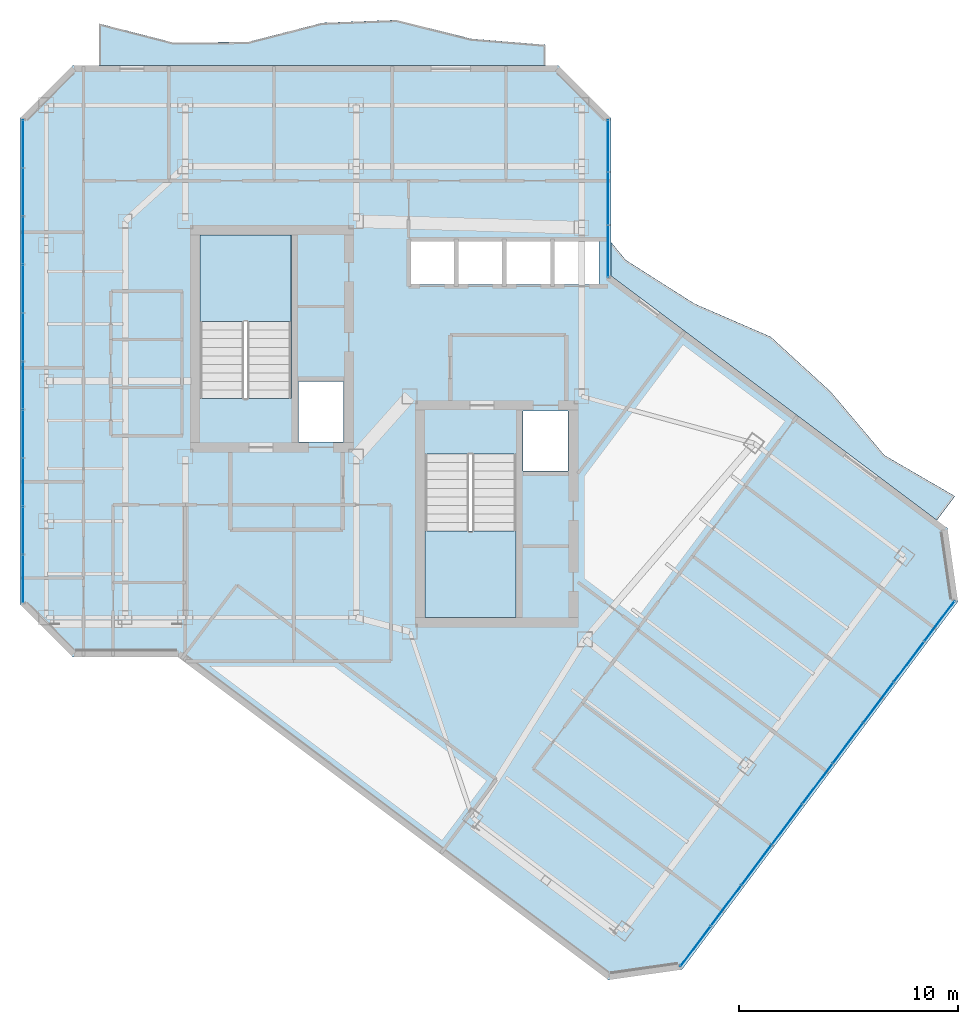
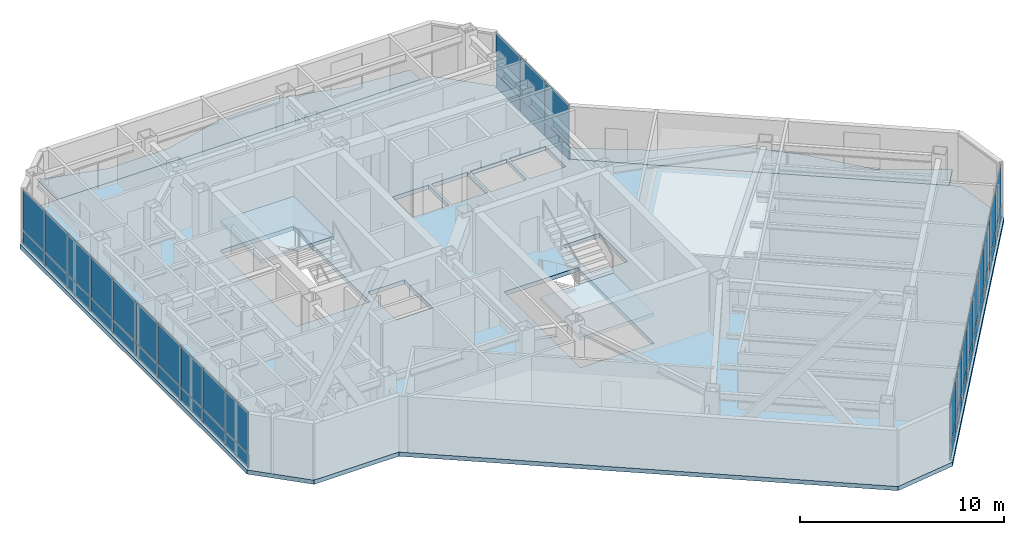
# One storey, part 18 of 25: 44 plates, 5 slabs, 5 elements without a shape of their own.
"""IFC4 building model written with IfcOpenShell, lengths in metres."""

from ifc_helpers import new_model, si_unit, direction, frame, origin, origin_2d, place, context, subcontext, project, spatial, polyline, rectangle, outline, extrude, material, layer, layer_set, type_object, element, aggregate, save


model = new_model("IFC4")

# Units and contexts
model_context = context("Model", 3, precision=1e-05, world=origin(), true_north=direction((0.0, 1.0)))
body_context = subcontext(model_context, "Body", "Model", "MODEL_VIEW")
ifc_project = project(units=[si_unit("LENGTHUNIT", "METRE"), si_unit("AREAUNIT", "SQUARE_METRE"), si_unit("VOLUMEUNIT", "CUBIC_METRE"), si_unit("PLANEANGLEUNIT", "RADIAN"), si_unit("MASSUNIT", "GRAM", prefix="KILO")], contexts=[model_context])

# Site, building, storey
site_placement = place(None, origin())
site = spatial("IfcSite", under=ifc_project, at=site_placement, CompositionType="ELEMENT")
building_placement = place(site_placement, origin())
building = spatial("IfcBuilding", under=site, at=building_placement, Name="Hatsunagi Terrace Concourse", CompositionType="ELEMENT")
storey_placement = place(building_placement, frame((0.0, 0.0, 223.949951171875)))
storey = spatial("IfcBuildingStorey", under=building, at=storey_placement, Name="L59", CompositionType="ELEMENT", Elevation=223.949951171875)

# Curtain wall, plates
ifc_material_1 = material(Name="Anodised Aluminium Alloy 6063-T5", Category="aluminium")
ifc_layer_1 = layer(ifc_material_1, 0.199951171875)
ifc_layer_set_1 = layer_set([ifc_layer_1], Name="OfficeZone2_CW04")
curtain_wall_type = type_object("IfcCurtainWallType", Name="OfficeZone2_CW04", PredefinedType="NOTDEFINED", material=ifc_layer_set_1)
curtain_wall_1_placement = place(storey_placement, origin())
curtain_wall_1 = element("IfcCurtainWall", 1, at=curtain_wall_1_placement, inside=storey, type_object=curtain_wall_type, Name="Unitised Curtain Wall CW-04 CW-L59-03", PredefinedType="NOTDEFINED")
ifc_material_2 = material(Name="Warm Terracotta Ceramic Spandrel Panel", Category="masonry")
ifc_layer_2 = layer(ifc_material_2, 0.031982421875)
ifc_layer_set_2 = layer_set([ifc_layer_2], Name="CurtainWallSpandrelPanel_32")
plate_type_1 = type_object("IfcPlateType", Name="CurtainWallSpandrelPanel_32", PredefinedType="SHEET", material=ifc_layer_set_2)
plate_1_placement = place(storey_placement, frame((59.9970703125, 25.030029296875, 0.030029296875), z_axis=(0.0, 0.0, 1.0), x_axis=(-0.599969314634, -0.800023013105, 0.0)))
plate_1 = element("IfcPlate", 2, at=plate_1_placement, type_object=plate_type_1, Name="Terracotta Spandrel Panel SPN-01", PredefinedType="SHEET", context=body_context, shape_type="SweptSolid", body=[
    extrude(rectangle(XDim=2.264892578125, YDim=0.031982421875, at=origin_2d()), origin(), (0.0, 0.0, 1.0), 0.7900390625),
])
plate_2_placement = place(storey_placement, frame((58.60498046875, 23.173095703125, 0.030029296875), z_axis=(0.0, 0.0, 1.0), x_axis=(-0.599969314634, -0.800023013105, 0.0)))
plate_2 = element("IfcPlate", 3, at=plate_2_placement, type_object=plate_type_1, Name="Terracotta Spandrel Panel SPN-01", PredefinedType="SHEET", context=body_context, shape_type="SweptSolid", body=[
    extrude(rectangle(XDim=2.264892578125, YDim=0.031982421875, at=origin_2d()), origin(), (0.0, 0.0, 1.0), 0.7900390625),
])
plate_3_placement = place(storey_placement, frame((57.2119140625, 21.31689453125, 0.030029296875), z_axis=(0.0, 0.0, 1.0), x_axis=(-0.599969314634, -0.800023013105, 0.0)))
plate_3 = element("IfcPlate", 4, at=plate_3_placement, type_object=plate_type_1, Name="Terracotta Spandrel Panel SPN-01", PredefinedType="SHEET", context=body_context, shape_type="SweptSolid", body=[
    extrude(rectangle(XDim=2.264892578125, YDim=0.031982421875, at=origin_2d()), origin(), (0.0, 0.0, 1.0), 0.7900390625),
])
plate_4_placement = place(storey_placement, frame((55.820068359375, 19.4599609375, 0.030029296875), z_axis=(0.0, 0.0, 1.0), x_axis=(-0.599969314634, -0.800023013105, 0.0)))
plate_4 = element("IfcPlate", 5, at=plate_4_placement, type_object=plate_type_1, Name="Terracotta Spandrel Panel SPN-01", PredefinedType="SHEET", context=body_context, shape_type="SweptSolid", body=[
    extrude(rectangle(XDim=2.264892578125, YDim=0.031982421875, at=origin_2d()), origin(), (0.0, 0.0, 1.0), 0.7900390625),
])
plate_5_placement = place(storey_placement, frame((54.427978515625, 17.60400390625, 0.030029296875), z_axis=(0.0, 0.0, 1.0), x_axis=(-0.599969314634, -0.800023013105, 0.0)))
plate_5 = element("IfcPlate", 6, at=plate_5_placement, type_object=plate_type_1, Name="Terracotta Spandrel Panel SPN-01", PredefinedType="SHEET", context=body_context, shape_type="SweptSolid", body=[
    extrude(rectangle(XDim=2.264892578125, YDim=0.031982421875, at=origin_2d()), origin(), (0.0, 0.0, 1.0), 0.7900390625),
])
plate_6_placement = place(storey_placement, frame((53.035888671875, 15.748046875, 0.030029296875), z_axis=(0.0, 0.0, 1.0), x_axis=(-0.599969314634, -0.800023013105, 0.0)))
plate_6 = element("IfcPlate", 7, at=plate_6_placement, type_object=plate_type_1, Name="Terracotta Spandrel Panel SPN-01", PredefinedType="SHEET", context=body_context, shape_type="SweptSolid", body=[
    extrude(rectangle(XDim=2.264892578125, YDim=0.031982421875, at=origin_2d()), origin(), (0.0, 0.0, 1.0), 0.7900390625),
])
plate_7_placement = place(storey_placement, frame((51.64404296875, 13.89111328125, 0.030029296875), z_axis=(0.0, 0.0, 1.0), x_axis=(-0.599969314634, -0.800023013105, 0.0)))
plate_7 = element("IfcPlate", 8, at=plate_7_placement, type_object=plate_type_1, Name="Terracotta Spandrel Panel SPN-01", PredefinedType="SHEET", context=body_context, shape_type="SweptSolid", body=[
    extrude(rectangle(XDim=2.264892578125, YDim=0.031982421875, at=origin_2d()), origin(), (0.0, 0.0, 1.0), 0.7900390625),
])
plate_8_placement = place(storey_placement, frame((50.2509765625, 12.034912109375, 0.030029296875), z_axis=(0.0, 0.0, 1.0), x_axis=(-0.599969314634, -0.800023013105, 0.0)))
plate_8 = element("IfcPlate", 9, at=plate_8_placement, type_object=plate_type_1, Name="Terracotta Spandrel Panel SPN-01", PredefinedType="SHEET", context=body_context, shape_type="SweptSolid", body=[
    extrude(rectangle(XDim=2.264892578125, YDim=0.031982421875, at=origin_2d()), origin(), (0.0, 0.0, 1.0), 0.7900390625),
])
plate_9_placement = place(storey_placement, frame((48.85888671875, 10.177978515625, 0.030029296875), z_axis=(0.0, 0.0, 1.0), x_axis=(-0.599969314634, -0.800023013105, 0.0)))
plate_9 = element("IfcPlate", 10, at=plate_9_placement, type_object=plate_type_1, Name="Terracotta Spandrel Panel SPN-01", PredefinedType="SHEET", context=body_context, shape_type="SweptSolid", body=[
    extrude(rectangle(XDim=2.264892578125, YDim=0.031982421875, at=origin_2d()), origin(), (0.0, 0.0, 1.0), 0.7900390625),
])

curtain_wall_2_placement = place(storey_placement, origin())
curtain_wall_2 = element("IfcCurtainWall", 11, at=curtain_wall_2_placement, inside=storey, type_object=curtain_wall_type, Name="Unitised Curtain Wall CW-04 CW-L59-08", PredefinedType="NOTDEFINED")
plate_10_placement = place(storey_placement, frame((18.139892578125, 26.9619140625, 0.030029296875), z_axis=(0.0, 0.0, 1.0), x_axis=(0.0, 1.0, 0.0)))
plate_10 = element("IfcPlate", 12, at=plate_10_placement, type_object=plate_type_1, Name="Terracotta Spandrel Panel SPN-01", PredefinedType="SHEET", context=body_context, shape_type="SweptSolid", body=[
    extrude(rectangle(XDim=2.153076171875, YDim=0.031982421875, at=origin_2d()), origin(), (0.0, 0.0, 1.0), 0.7900390625),
])
plate_11_placement = place(storey_placement, frame((18.139892578125, 29.1708984375, 0.030029296875), z_axis=(0.0, 0.0, 1.0), x_axis=(0.0, 1.0, 0.0)))
plate_11 = element("IfcPlate", 13, at=plate_11_placement, type_object=plate_type_1, Name="Terracotta Spandrel Panel SPN-01", PredefinedType="SHEET", context=body_context, shape_type="SweptSolid", body=[
    extrude(rectangle(XDim=2.153076171875, YDim=0.031982421875, at=origin_2d()), origin(), (0.0, 0.0, 1.0), 0.7900390625),
])
plate_12_placement = place(storey_placement, frame((18.139892578125, 31.37890625, 0.030029296875), z_axis=(0.0, 0.0, 1.0), x_axis=(0.0, 1.0, 0.0)))
plate_12 = element("IfcPlate", 14, at=plate_12_placement, type_object=plate_type_1, Name="Terracotta Spandrel Panel SPN-01", PredefinedType="SHEET", context=body_context, shape_type="SweptSolid", body=[
    extrude(rectangle(XDim=2.153076171875, YDim=0.031982421875, at=origin_2d()), origin(), (0.0, 0.0, 1.0), 0.7900390625),
])
plate_13_placement = place(storey_placement, frame((18.139892578125, 33.5869140625, 0.030029296875), z_axis=(0.0, 0.0, 1.0), x_axis=(0.0, 1.0, 0.0)))
plate_13 = element("IfcPlate", 15, at=plate_13_placement, type_object=plate_type_1, Name="Terracotta Spandrel Panel SPN-01", PredefinedType="SHEET", context=body_context, shape_type="SweptSolid", body=[
    extrude(rectangle(XDim=2.153076171875, YDim=0.031982421875, at=origin_2d()), origin(), (0.0, 0.0, 1.0), 0.7900390625),
])
plate_14_placement = place(storey_placement, frame((18.139892578125, 35.7958984375, 0.030029296875), z_axis=(0.0, 0.0, 1.0), x_axis=(0.0, 1.0, 0.0)))
plate_14 = element("IfcPlate", 16, at=plate_14_placement, type_object=plate_type_1, Name="Terracotta Spandrel Panel SPN-01", PredefinedType="SHEET", context=body_context, shape_type="SweptSolid", body=[
    extrude(rectangle(XDim=2.153076171875, YDim=0.031982421875, at=origin_2d()), origin(), (0.0, 0.0, 1.0), 0.7900390625),
])
plate_15_placement = place(storey_placement, frame((18.139892578125, 38.00390625, 0.030029296875), z_axis=(0.0, 0.0, 1.0), x_axis=(0.0, 1.0, 0.0)))
plate_15 = element("IfcPlate", 17, at=plate_15_placement, type_object=plate_type_1, Name="Terracotta Spandrel Panel SPN-01", PredefinedType="SHEET", context=body_context, shape_type="SweptSolid", body=[
    extrude(rectangle(XDim=2.153076171875, YDim=0.031982421875, at=origin_2d()), origin(), (0.0, 0.0, 1.0), 0.7900390625),
])
plate_16_placement = place(storey_placement, frame((18.139892578125, 40.212890625, 0.030029296875), z_axis=(0.0, 0.0, 1.0), x_axis=(0.0, 1.0, 0.0)))
plate_16 = element("IfcPlate", 18, at=plate_16_placement, type_object=plate_type_1, Name="Terracotta Spandrel Panel SPN-01", PredefinedType="SHEET", context=body_context, shape_type="SweptSolid", body=[
    extrude(rectangle(XDim=2.153076171875, YDim=0.031982421875, at=origin_2d()), origin(), (0.0, 0.0, 1.0), 0.7900390625),
])
plate_17_placement = place(storey_placement, frame((18.139892578125, 42.4208984375, 0.030029296875), z_axis=(0.0, 0.0, 1.0), x_axis=(0.0, 1.0, 0.0)))
plate_17 = element("IfcPlate", 19, at=plate_17_placement, type_object=plate_type_1, Name="Terracotta Spandrel Panel SPN-01", PredefinedType="SHEET", context=body_context, shape_type="SweptSolid", body=[
    extrude(rectangle(XDim=2.153076171875, YDim=0.031982421875, at=origin_2d()), origin(), (0.0, 0.0, 1.0), 0.7900390625),
])
plate_18_placement = place(storey_placement, frame((18.139892578125, 44.62890625, 0.030029296875), z_axis=(0.0, 0.0, 1.0), x_axis=(0.0, 1.0, 0.0)))
plate_18 = element("IfcPlate", 20, at=plate_18_placement, type_object=plate_type_1, Name="Terracotta Spandrel Panel SPN-01", PredefinedType="SHEET", context=body_context, shape_type="SweptSolid", body=[
    extrude(rectangle(XDim=2.153076171875, YDim=0.031982421875, at=origin_2d()), origin(), (0.0, 0.0, 1.0), 0.7900390625),
])
plate_19_placement = place(storey_placement, frame((18.139892578125, 46.837890625, 0.030029296875), z_axis=(0.0, 0.0, 1.0), x_axis=(0.0, 1.0, 0.0)))
plate_19 = element("IfcPlate", 21, at=plate_19_placement, type_object=plate_type_1, Name="Terracotta Spandrel Panel SPN-01", PredefinedType="SHEET", context=body_context, shape_type="SweptSolid", body=[
    extrude(rectangle(XDim=2.153076171875, YDim=0.031982421875, at=origin_2d()), origin(), (0.0, 0.0, 1.0), 0.7900390625),
])

curtain_wall_3_placement = place(storey_placement, origin())
curtain_wall_3 = element("IfcCurtainWall", 22, at=curtain_wall_3_placement, inside=storey, type_object=curtain_wall_type, Name="Unitised Curtain Wall CW-04 CW-L59-12", PredefinedType="NOTDEFINED")
plate_20_placement = place(storey_placement, frame((44.860107421875, 46.739990234375, 0.030029296875), z_axis=(0.0, 0.0, 1.0), x_axis=(0.0, -1.0, 0.0)))
plate_20 = element("IfcPlate", 23, at=plate_20_placement, type_object=plate_type_1, Name="Terracotta Spandrel Panel SPN-01", PredefinedType="SHEET", context=body_context, shape_type="SweptSolid", body=[
    extrude(rectangle(XDim=2.34912109375, YDim=0.031982421875, at=origin_2d()), origin(), (0.0, 0.0, 1.0), 0.7900390625),
])
plate_21_placement = place(storey_placement, frame((44.860107421875, 44.3359375, 0.030029296875), z_axis=(0.0, 0.0, 1.0), x_axis=(0.0, -1.0, 0.0)))
plate_21 = element("IfcPlate", 24, at=plate_21_placement, type_object=plate_type_1, Name="Terracotta Spandrel Panel SPN-01", PredefinedType="SHEET", context=body_context, shape_type="SweptSolid", body=[
    extrude(rectangle(XDim=2.34912109375, YDim=0.031982421875, at=origin_2d()), origin(), (0.0, 0.0, 1.0), 0.7900390625),
])
plate_22_placement = place(storey_placement, frame((44.860107421875, 41.931884765625, 0.030029296875), z_axis=(0.0, 0.0, 1.0), x_axis=(0.0, -1.0, 0.0)))
plate_22 = element("IfcPlate", 25, at=plate_22_placement, type_object=plate_type_1, Name="Terracotta Spandrel Panel SPN-01", PredefinedType="SHEET", context=body_context, shape_type="SweptSolid", body=[
    extrude(rectangle(XDim=2.34912109375, YDim=0.031982421875, at=origin_2d()), origin(), (0.0, 0.0, 1.0), 0.7900390625),
])

# Plate
ifc_material_3 = material(Name="Low-E Double Insulating Glass 28mm", Category="glass")
ifc_layer_3 = layer(ifc_material_3, 0.028076171875)
ifc_layer_set_3 = layer_set([ifc_layer_3], Name="CurtainWallVisionGlass_28")
plate_type_2 = type_object("IfcPlateType", Name="CurtainWallVisionGlass_28", PredefinedType="CURTAIN_PANEL", material=ifc_layer_set_3)
plate_23_placement = place(storey_placement, frame((59.9970703125, 25.030029296875, 0.880126953125), z_axis=(0.0, 0.0, 1.0), x_axis=(-0.599969314634, -0.800023013105, 0.0)))
plate_23 = element("IfcPlate", 26, at=plate_23_placement, type_object=plate_type_2, Name="Low-E Vision Glass Panel GLZ-01", PredefinedType="CURTAIN_PANEL", context=body_context, shape_type="SweptSolid", body=[
    extrude(rectangle(XDim=2.264892578125, YDim=0.028076171875, at=origin_2d()), origin(), (0.0, 0.0, 1.0), 2.43994140625),
])

plate_24_placement = place(storey_placement, frame((58.60498046875, 23.173095703125, 0.880126953125), z_axis=(0.0, 0.0, 1.0), x_axis=(-0.599969314634, -0.800023013105, 0.0)))
plate_24 = element("IfcPlate", 27, at=plate_24_placement, type_object=plate_type_2, Name="Low-E Vision Glass Panel GLZ-01", PredefinedType="CURTAIN_PANEL", context=body_context, shape_type="SweptSolid", body=[
    extrude(rectangle(XDim=2.264892578125, YDim=0.028076171875, at=origin_2d()), origin(), (0.0, 0.0, 1.0), 2.43994140625),
])

plate_25_placement = place(storey_placement, frame((57.2119140625, 21.31689453125, 0.880126953125), z_axis=(0.0, 0.0, 1.0), x_axis=(-0.599969314634, -0.800023013105, 0.0)))
plate_25 = element("IfcPlate", 28, at=plate_25_placement, type_object=plate_type_2, Name="Low-E Vision Glass Panel GLZ-01", PredefinedType="CURTAIN_PANEL", context=body_context, shape_type="SweptSolid", body=[
    extrude(rectangle(XDim=2.264892578125, YDim=0.028076171875, at=origin_2d()), origin(), (0.0, 0.0, 1.0), 2.43994140625),
])

plate_26_placement = place(storey_placement, frame((55.820068359375, 19.4599609375, 0.880126953125), z_axis=(0.0, 0.0, 1.0), x_axis=(-0.599969314634, -0.800023013105, 0.0)))
plate_26 = element("IfcPlate", 29, at=plate_26_placement, type_object=plate_type_2, Name="Low-E Vision Glass Panel GLZ-01", PredefinedType="CURTAIN_PANEL", context=body_context, shape_type="SweptSolid", body=[
    extrude(rectangle(XDim=2.264892578125, YDim=0.028076171875, at=origin_2d()), origin(), (0.0, 0.0, 1.0), 2.43994140625),
])

plate_27_placement = place(storey_placement, frame((54.427978515625, 17.60400390625, 0.880126953125), z_axis=(0.0, 0.0, 1.0), x_axis=(-0.599969314634, -0.800023013105, 0.0)))
plate_27 = element("IfcPlate", 30, at=plate_27_placement, type_object=plate_type_2, Name="Low-E Vision Glass Panel GLZ-01", PredefinedType="CURTAIN_PANEL", context=body_context, shape_type="SweptSolid", body=[
    extrude(rectangle(XDim=2.264892578125, YDim=0.028076171875, at=origin_2d()), origin(), (0.0, 0.0, 1.0), 2.43994140625),
])

plate_28_placement = place(storey_placement, frame((53.035888671875, 15.748046875, 0.880126953125), z_axis=(0.0, 0.0, 1.0), x_axis=(-0.599969314634, -0.800023013105, 0.0)))
plate_28 = element("IfcPlate", 31, at=plate_28_placement, type_object=plate_type_2, Name="Low-E Vision Glass Panel GLZ-01", PredefinedType="CURTAIN_PANEL", context=body_context, shape_type="SweptSolid", body=[
    extrude(rectangle(XDim=2.264892578125, YDim=0.028076171875, at=origin_2d()), origin(), (0.0, 0.0, 1.0), 2.43994140625),
])

plate_29_placement = place(storey_placement, frame((51.64404296875, 13.89111328125, 0.880126953125), z_axis=(0.0, 0.0, 1.0), x_axis=(-0.599969314634, -0.800023013105, 0.0)))
plate_29 = element("IfcPlate", 32, at=plate_29_placement, type_object=plate_type_2, Name="Low-E Vision Glass Panel GLZ-01", PredefinedType="CURTAIN_PANEL", context=body_context, shape_type="SweptSolid", body=[
    extrude(rectangle(XDim=2.264892578125, YDim=0.028076171875, at=origin_2d()), origin(), (0.0, 0.0, 1.0), 2.43994140625),
])

plate_30_placement = place(storey_placement, frame((50.2509765625, 12.034912109375, 0.880126953125), z_axis=(0.0, 0.0, 1.0), x_axis=(-0.599969314634, -0.800023013105, 0.0)))
plate_30 = element("IfcPlate", 33, at=plate_30_placement, type_object=plate_type_2, Name="Low-E Vision Glass Panel GLZ-01", PredefinedType="CURTAIN_PANEL", context=body_context, shape_type="SweptSolid", body=[
    extrude(rectangle(XDim=2.264892578125, YDim=0.028076171875, at=origin_2d()), origin(), (0.0, 0.0, 1.0), 2.43994140625),
])

plate_31_placement = place(storey_placement, frame((48.85888671875, 10.177978515625, 0.880126953125), z_axis=(0.0, 0.0, 1.0), x_axis=(-0.599969314634, -0.800023013105, 0.0)))
plate_31 = element("IfcPlate", 34, at=plate_31_placement, type_object=plate_type_2, Name="Low-E Vision Glass Panel GLZ-01", PredefinedType="CURTAIN_PANEL", context=body_context, shape_type="SweptSolid", body=[
    extrude(rectangle(XDim=2.264892578125, YDim=0.028076171875, at=origin_2d()), origin(), (0.0, 0.0, 1.0), 2.43994140625),
])

aggregate(curtain_wall_1, [plate_1, plate_23, plate_2, plate_24, plate_3, plate_25, plate_4, plate_26, plate_5, plate_27, plate_6, plate_28, plate_7, plate_29, plate_8, plate_30, plate_9, plate_31])

plate_32_placement = place(storey_placement, frame((18.139892578125, 26.9619140625, 0.880126953125), z_axis=(0.0, 0.0, 1.0), x_axis=(0.0, 1.0, 0.0)))
plate_32 = element("IfcPlate", 35, at=plate_32_placement, type_object=plate_type_2, Name="Low-E Vision Glass Panel GLZ-01", PredefinedType="CURTAIN_PANEL", context=body_context, shape_type="SweptSolid", body=[
    extrude(rectangle(XDim=2.153076171875, YDim=0.028076171875, at=origin_2d()), origin(), (0.0, 0.0, 1.0), 2.43994140625),
])

plate_33_placement = place(storey_placement, frame((18.139892578125, 29.1708984375, 0.880126953125), z_axis=(0.0, 0.0, 1.0), x_axis=(0.0, 1.0, 0.0)))
plate_33 = element("IfcPlate", 36, at=plate_33_placement, type_object=plate_type_2, Name="Low-E Vision Glass Panel GLZ-01", PredefinedType="CURTAIN_PANEL", context=body_context, shape_type="SweptSolid", body=[
    extrude(rectangle(XDim=2.153076171875, YDim=0.028076171875, at=origin_2d()), origin(), (0.0, 0.0, 1.0), 2.43994140625),
])

plate_34_placement = place(storey_placement, frame((18.139892578125, 31.37890625, 0.880126953125), z_axis=(0.0, 0.0, 1.0), x_axis=(0.0, 1.0, 0.0)))
plate_34 = element("IfcPlate", 37, at=plate_34_placement, type_object=plate_type_2, Name="Low-E Vision Glass Panel GLZ-01", PredefinedType="CURTAIN_PANEL", context=body_context, shape_type="SweptSolid", body=[
    extrude(rectangle(XDim=2.153076171875, YDim=0.028076171875, at=origin_2d()), origin(), (0.0, 0.0, 1.0), 2.43994140625),
])

plate_35_placement = place(storey_placement, frame((18.139892578125, 33.5869140625, 0.880126953125), z_axis=(0.0, 0.0, 1.0), x_axis=(0.0, 1.0, 0.0)))
plate_35 = element("IfcPlate", 38, at=plate_35_placement, type_object=plate_type_2, Name="Low-E Vision Glass Panel GLZ-01", PredefinedType="CURTAIN_PANEL", context=body_context, shape_type="SweptSolid", body=[
    extrude(rectangle(XDim=2.153076171875, YDim=0.028076171875, at=origin_2d()), origin(), (0.0, 0.0, 1.0), 2.43994140625),
])

plate_36_placement = place(storey_placement, frame((18.139892578125, 35.7958984375, 0.880126953125), z_axis=(0.0, 0.0, 1.0), x_axis=(0.0, 1.0, 0.0)))
plate_36 = element("IfcPlate", 39, at=plate_36_placement, type_object=plate_type_2, Name="Low-E Vision Glass Panel GLZ-01", PredefinedType="CURTAIN_PANEL", context=body_context, shape_type="SweptSolid", body=[
    extrude(rectangle(XDim=2.153076171875, YDim=0.028076171875, at=origin_2d()), origin(), (0.0, 0.0, 1.0), 2.43994140625),
])

plate_37_placement = place(storey_placement, frame((18.139892578125, 38.00390625, 0.880126953125), z_axis=(0.0, 0.0, 1.0), x_axis=(0.0, 1.0, 0.0)))
plate_37 = element("IfcPlate", 40, at=plate_37_placement, type_object=plate_type_2, Name="Low-E Vision Glass Panel GLZ-01", PredefinedType="CURTAIN_PANEL", context=body_context, shape_type="SweptSolid", body=[
    extrude(rectangle(XDim=2.153076171875, YDim=0.028076171875, at=origin_2d()), origin(), (0.0, 0.0, 1.0), 2.43994140625),
])

plate_38_placement = place(storey_placement, frame((18.139892578125, 40.212890625, 0.880126953125), z_axis=(0.0, 0.0, 1.0), x_axis=(0.0, 1.0, 0.0)))
plate_38 = element("IfcPlate", 41, at=plate_38_placement, type_object=plate_type_2, Name="Low-E Vision Glass Panel GLZ-01", PredefinedType="CURTAIN_PANEL", context=body_context, shape_type="SweptSolid", body=[
    extrude(rectangle(XDim=2.153076171875, YDim=0.028076171875, at=origin_2d()), origin(), (0.0, 0.0, 1.0), 2.43994140625),
])

plate_39_placement = place(storey_placement, frame((18.139892578125, 42.4208984375, 0.880126953125), z_axis=(0.0, 0.0, 1.0), x_axis=(0.0, 1.0, 0.0)))
plate_39 = element("IfcPlate", 42, at=plate_39_placement, type_object=plate_type_2, Name="Low-E Vision Glass Panel GLZ-01", PredefinedType="CURTAIN_PANEL", context=body_context, shape_type="SweptSolid", body=[
    extrude(rectangle(XDim=2.153076171875, YDim=0.028076171875, at=origin_2d()), origin(), (0.0, 0.0, 1.0), 2.43994140625),
])

plate_40_placement = place(storey_placement, frame((18.139892578125, 44.62890625, 0.880126953125), z_axis=(0.0, 0.0, 1.0), x_axis=(0.0, 1.0, 0.0)))
plate_40 = element("IfcPlate", 43, at=plate_40_placement, type_object=plate_type_2, Name="Low-E Vision Glass Panel GLZ-01", PredefinedType="CURTAIN_PANEL", context=body_context, shape_type="SweptSolid", body=[
    extrude(rectangle(XDim=2.153076171875, YDim=0.028076171875, at=origin_2d()), origin(), (0.0, 0.0, 1.0), 2.43994140625),
])

plate_41_placement = place(storey_placement, frame((18.139892578125, 46.837890625, 0.880126953125), z_axis=(0.0, 0.0, 1.0), x_axis=(0.0, 1.0, 0.0)))
plate_41 = element("IfcPlate", 44, at=plate_41_placement, type_object=plate_type_2, Name="Low-E Vision Glass Panel GLZ-01", PredefinedType="CURTAIN_PANEL", context=body_context, shape_type="SweptSolid", body=[
    extrude(rectangle(XDim=2.153076171875, YDim=0.028076171875, at=origin_2d()), origin(), (0.0, 0.0, 1.0), 2.43994140625),
])

aggregate(curtain_wall_2, [plate_10, plate_32, plate_11, plate_33, plate_12, plate_34, plate_13, plate_35, plate_14, plate_36, plate_15, plate_37, plate_16, plate_38, plate_17, plate_39, plate_18, plate_40, plate_19, plate_41])

plate_42_placement = place(storey_placement, frame((44.860107421875, 46.739990234375, 0.880126953125), z_axis=(0.0, 0.0, 1.0), x_axis=(0.0, -1.0, 0.0)))
plate_42 = element("IfcPlate", 45, at=plate_42_placement, type_object=plate_type_2, Name="Low-E Vision Glass Panel GLZ-01", PredefinedType="CURTAIN_PANEL", context=body_context, shape_type="SweptSolid", body=[
    extrude(rectangle(XDim=2.34912109375, YDim=0.028076171875, at=origin_2d()), origin(), (0.0, 0.0, 1.0), 2.43994140625),
])

plate_43_placement = place(storey_placement, frame((44.860107421875, 44.3359375, 0.880126953125), z_axis=(0.0, 0.0, 1.0), x_axis=(0.0, -1.0, 0.0)))
plate_43 = element("IfcPlate", 46, at=plate_43_placement, type_object=plate_type_2, Name="Low-E Vision Glass Panel GLZ-01", PredefinedType="CURTAIN_PANEL", context=body_context, shape_type="SweptSolid", body=[
    extrude(rectangle(XDim=2.34912109375, YDim=0.028076171875, at=origin_2d()), origin(), (0.0, 0.0, 1.0), 2.43994140625),
])

plate_44_placement = place(storey_placement, frame((44.860107421875, 41.931884765625, 0.880126953125), z_axis=(0.0, 0.0, 1.0), x_axis=(0.0, -1.0, 0.0)))
plate_44 = element("IfcPlate", 47, at=plate_44_placement, type_object=plate_type_2, Name="Low-E Vision Glass Panel GLZ-01", PredefinedType="CURTAIN_PANEL", context=body_context, shape_type="SweptSolid", body=[
    extrude(rectangle(XDim=2.34912109375, YDim=0.028076171875, at=origin_2d()), origin(), (0.0, 0.0, 1.0), 2.43994140625),
])

aggregate(curtain_wall_3, [plate_20, plate_42, plate_21, plate_43, plate_22, plate_44])

# Stair, slab
ifc_material_4 = material(Name="Concrete Fc42", Category="concrete")
stair_type = type_object("IfcStairType", Name="DoglegExitStair_Tower2000_20R_180", PredefinedType="HALF_TURN_STAIR", material=ifc_material_4)
stair_1_placement = place(storey_placement, origin())
stair_1 = element("IfcStair", 48, at=stair_1_placement, inside=storey, type_object=stair_type, Name="L59 Core A Protected Exit Stair ST-A", PredefinedType="HALF_TURN_STAIR")
ifc_material_5 = material(Name="Concrete Fc42", Category="concrete")
ifc_layer_4 = layer(ifc_material_5, 0.199951171875)
ifc_layer_set_4 = layer_set([ifc_layer_4], Name="DoglegStairLanding_Tower2000")
slab_type_1 = type_object("IfcSlabType", Name="DoglegStairLanding_Tower2000", PredefinedType="LANDING", material=ifc_layer_set_4)
slab_1_placement = place(storey_placement, frame((0.0, 0.0, 1.60009765625)))
slab_1 = element("IfcSlab", 49, at=slab_1_placement, type_object=slab_type_1, Name="ST-A landing 1", PredefinedType="LANDING", context=body_context, shape_type="SweptSolid", body=[
    extrude(outline(polyline([(30.3798828125, 38.7099609375), (30.3798828125, 42.659912109375), (26.22998046875, 42.659912109375), (26.22998046875, 38.7099609375), (30.3798828125, 38.7099609375)])), origin(), (0.0, 0.0, 1.0), 0.199951171875),
])
aggregate(stair_1, [slab_1])

stair_2_placement = place(storey_placement, origin())
stair_2 = element("IfcStair", 50, at=stair_2_placement, inside=storey, type_object=stair_type, Name="L59 Core B Protected Exit Stair ST-B", PredefinedType="HALF_TURN_STAIR")
slab_2_placement = place(storey_placement, frame((0.0, 0.0, 1.60009765625)))
slab_2 = element("IfcSlab", 51, at=slab_2_placement, type_object=slab_type_1, Name="ST-B landing 1", PredefinedType="LANDING", context=body_context, shape_type="SweptSolid", body=[
    extrude(outline(polyline([(36.5, 29.14990234375), (36.5, 25.199951171875), (40.64990234375, 25.199951171875), (40.64990234375, 29.14990234375), (36.5, 29.14990234375)])), origin(), (0.0, 0.0, 1.0), 0.199951171875),
])
aggregate(stair_2, [slab_2])

# Slabs
ifc_material_6 = material(Name="Concrete Fc42", Category="concrete")
ifc_layer_5 = layer(ifc_material_6, 0.199951171875)
ifc_layer_set_5 = layer_set([ifc_layer_5], Name="EngawaBalconySlab_Fc42_200")
slab_type_2 = type_object("IfcSlabType", Name="EngawaBalconySlab_Fc42_200", PredefinedType="FLOOR", material=ifc_layer_set_5)
slab_3_placement = place(storey_placement, frame((0.0, 0.0, -0.199951171875)))
element("IfcSlab", 52, at=slab_3_placement, inside=storey, type_object=slab_type_2, Name="Engawa Balcony Slab BAL-L59-BN", PredefinedType="FLOOR", context=body_context, shape_type="SweptSolid", body=[
    extrude(outline(polyline([(21.60009765625, 52.33203125), (21.60009765625, 50.39990234375), (42.0, 50.39990234375), (42.0, 51.35595703125), (38.60009765625, 51.635009765625), (35.199951171875, 52.489013671875), (31.800048828125, 52.35888671875), (28.39990234375, 51.48193359375), (25.0, 51.458984375), (21.60009765625, 52.33203125)])), origin(), (0.0, 0.0, 1.0), 0.199951171875),
])
slab_4_placement = place(storey_placement, frame((0.0, 0.0, -0.199951171875)))
element("IfcSlab", 53, at=slab_4_placement, inside=storey, type_object=slab_type_2, Name="Engawa Balcony Slab BAL-L59-BSE", PredefinedType="FLOOR", context=body_context, shape_type="SweptSolid", body=[
    extrude(outline(polyline([(45.6669921875, 41.52294921875), (44.99609375, 42.341064453125), (44.99609375, 40.802978515625), (59.8798828125, 29.639892578125), (60.702880859375, 30.737060546875), (57.47998046875, 32.60693359375), (55.030029296875, 35.506103515625), (52.2880859375, 38.01708984375), (48.799072265625, 39.531982421875), (45.6669921875, 41.52294921875)])), origin(), (0.0, 0.0, 1.0), 0.199951171875),
])
ifc_material_7 = material(Name="Concrete Fc42", Category="concrete")
ifc_layer_6 = layer(ifc_material_7, 0.25)
ifc_layer_set_6 = layer_set([ifc_layer_6], Name="OfficeCrownSlab_Fc42_250")
slab_type_3 = type_object("IfcSlabType", Name="OfficeCrownSlab_Fc42_250", PredefinedType="FLOOR", material=ifc_layer_set_6)
slab_5_placement = place(storey_placement, frame((0.0, 0.0, -0.25)))
element("IfcSlab", 54, at=slab_5_placement, inside=storey, type_object=slab_type_3, Name="Floor Slab SL-250 L59", PredefinedType="FLOOR", context=body_context, shape_type="SweptSolid", body=[
    extrude(outline(polyline([(45.0, 40.800048828125), (45.0, 48.0), (42.60009765625, 50.39990234375), (20.39990234375, 50.39990234375), (18.0, 48.0), (18.0, 25.800048828125), (20.39990234375, 23.39990234375), (25.199951171875, 23.39990234375), (44.8798828125, 8.639892578125), (48.239990234375, 9.1201171875), (60.840087890625, 25.919921875), (60.360107421875, 29.280029296875), (45.0, 40.800048828125)]), holes=[polyline([(26.22998046875, 35.205078125), (30.3798828125, 35.205078125), (30.3798828125, 42.659912109375), (26.22998046875, 42.659912109375), (26.22998046875, 35.205078125)]), polyline([(36.5, 25.199951171875), (40.64990234375, 25.199951171875), (40.64990234375, 32.655029296875), (36.5, 32.655029296875), (36.5, 25.199951171875)]), polyline([(30.719970703125, 33.219970703125), (32.780029296875, 33.219970703125), (32.780029296875, 35.97998046875), (30.719970703125, 35.97998046875), (30.719970703125, 33.219970703125)]), polyline([(40.97998046875, 31.8798828125), (43.02001953125, 31.8798828125), (43.02001953125, 34.639892578125), (40.97998046875, 34.639892578125), (40.97998046875, 31.8798828125)]), polyline([(35.800048828125, 40.39990234375), (37.85009765625, 40.39990234375), (37.85009765625, 42.39990234375), (35.800048828125, 42.39990234375), (35.800048828125, 40.39990234375)]), polyline([(38.0, 40.39990234375), (40.050048828125, 40.39990234375), (40.050048828125, 42.39990234375), (38.0, 42.39990234375), (38.0, 40.39990234375)]), polyline([(40.199951171875, 40.39990234375), (42.25, 40.39990234375), (42.25, 42.39990234375), (40.199951171875, 42.39990234375), (40.199951171875, 40.39990234375)]), polyline([(42.39990234375, 40.39990234375), (44.449951171875, 40.39990234375), (44.449951171875, 42.39990234375), (42.39990234375, 42.39990234375), (42.39990234375, 40.39990234375)])]), origin(), (0.0, 0.0, 1.0), 0.25),
])

save(model, "model.ifc")
